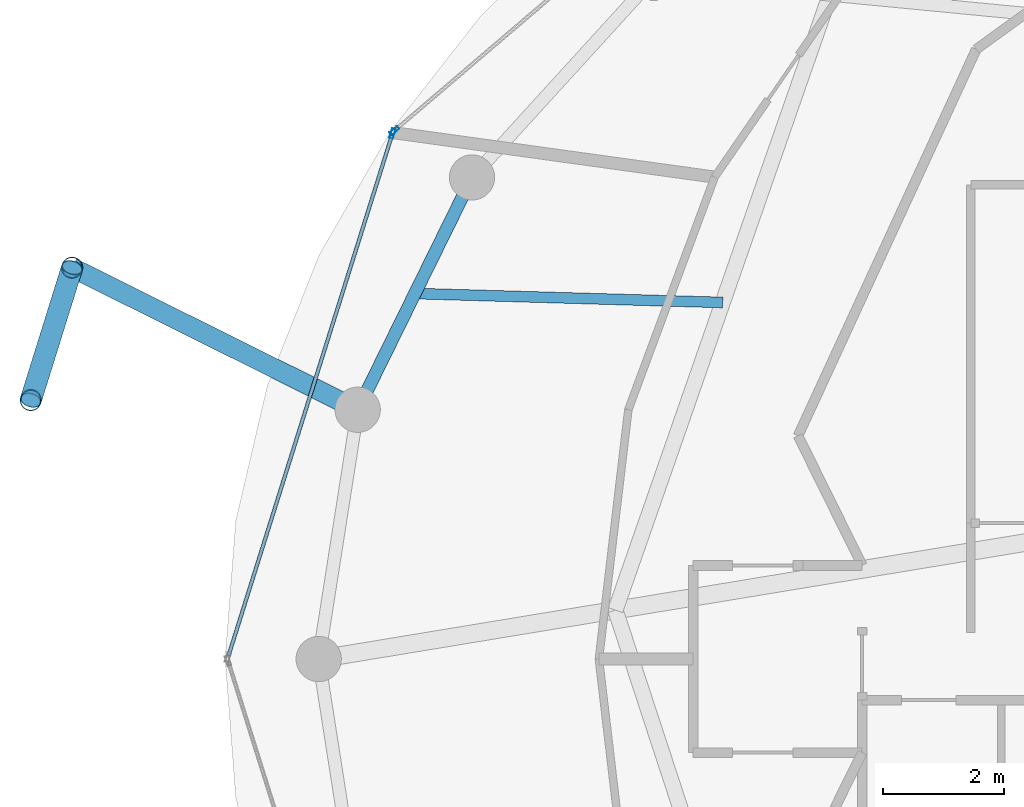
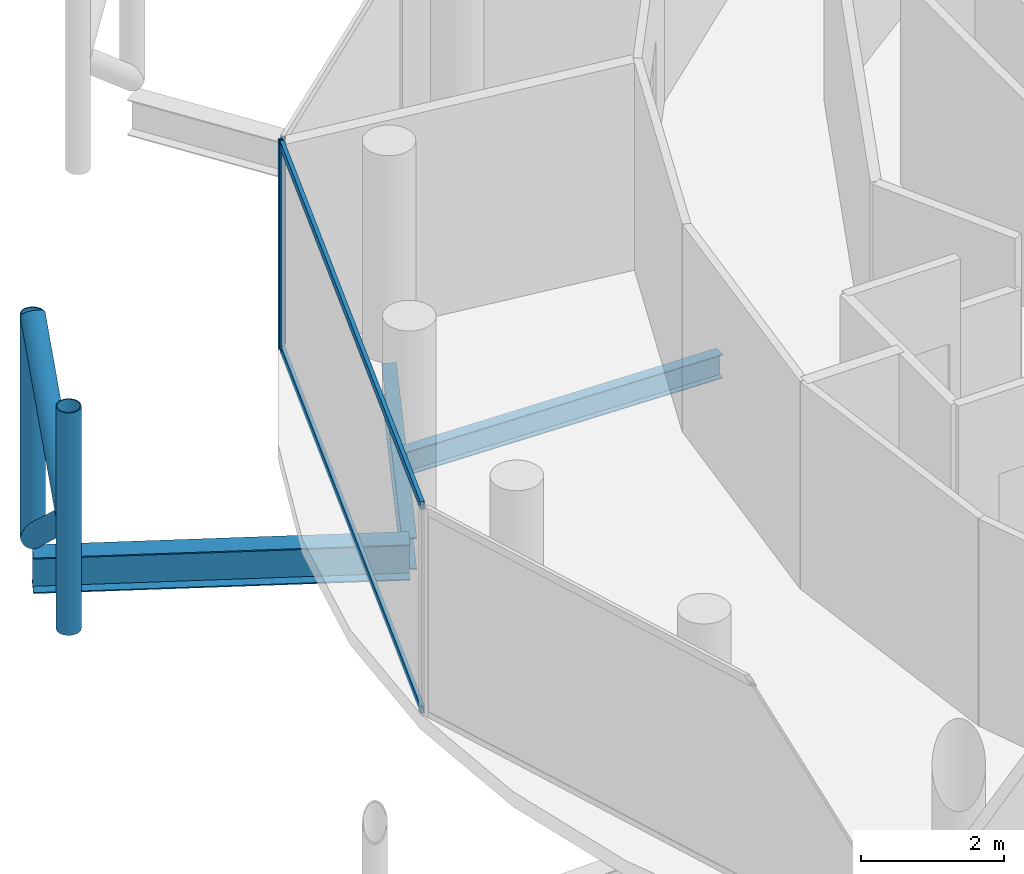
# One storey, part 7 of 24: 8 members, 3 beams, 2 elements without a shape of their own.
"""IFC4 building model written with IfcOpenShell, lengths in metres."""

from ifc_helpers import new_model, si_unit, direction, frame, origin, origin_2d, place, context, subcontext, project, spatial, hollow_rectangle, hollow_circle, i_section, extrude, material, layer, layer_set, material_profile, profile_set, type_object, element, aggregate, save


model = new_model("IFC4")

# Units and contexts
model_context = context("Model", 3, precision=1e-05, world=origin(), true_north=direction((0.0, 1.0)))
body_context = subcontext(model_context, "Body", "Model", "MODEL_VIEW")
ifc_project = project(units=[si_unit("LENGTHUNIT", "METRE"), si_unit("AREAUNIT", "SQUARE_METRE"), si_unit("VOLUMEUNIT", "CUBIC_METRE"), si_unit("PLANEANGLEUNIT", "RADIAN"), si_unit("MASSUNIT", "GRAM", prefix="KILO")], contexts=[model_context])

# Site, building, storey
site_placement = place(None, origin())
site = spatial("IfcSite", under=ifc_project, at=site_placement, CompositionType="ELEMENT")
building_placement = place(site_placement, origin())
building = spatial("IfcBuilding", under=site, at=building_placement, Name="Nuhasar Tower", CompositionType="ELEMENT")
storey_placement = place(building_placement, frame((0.0, 0.0, 267.0)))
storey = spatial("IfcBuildingStorey", under=building, at=storey_placement, Name="L66", CompositionType="ELEMENT", Elevation=267.0)

# Beams
ifc_material_1 = material(Name="Steel S355", Category="steel")
ifc_material_profile_1 = material_profile(ifc_material_1, i_section(OverallWidth=0.177978515625, OverallDepth=0.406005859375, WebThickness=0.0078125, FlangeThickness=0.0126953125, at=origin_2d()), Name="W16X40")
ifc_profile_set_1 = profile_set([ifc_material_profile_1], Name="Steel S355")
beam_type_1 = type_object("IfcBeamType", Name="BM-JST-W16X40", PredefinedType="JOIST", material=ifc_profile_set_1)
beam_1_placement = place(storey_placement, frame((26.739990234375, 32.7041015625, -0.462890625), z_axis=(-0.999579139243, 0.02900938453, 0.0), x_axis=(-0.02900938453, -0.999579139243, 0.0)))
element("IfcBeam", 1, at=beam_1_placement, inside=storey, type_object=beam_type_1, Name="L66 Secondary Floor Joist 07", PredefinedType="JOIST", context=body_context, shape_type="SweptSolid", body=[
    extrude(i_section(OverallWidth=0.177978515625, OverallDepth=0.406005859375, WebThickness=0.0078125, FlangeThickness=0.0126953125, at=origin_2d()), origin(), (0.0, 0.0, 1.0), 5.10009765625),
])
ifc_material_profile_2 = material_profile(ifc_material_1, i_section(OverallWidth=0.2099609375, OverallDepth=0.537109375, WebThickness=0.010986328125, FlangeThickness=0.017333984375, at=origin_2d()), Name="W21X68")
ifc_profile_set_2 = profile_set([ifc_material_profile_2], Name="Steel S355")
beam_type_2 = type_object("IfcBeamType", Name="BM-RING-W21X68", PredefinedType="SPANDREL", material=ifc_profile_set_2)
beam_2_placement = place(storey_placement, frame((22.589111328125, 34.77490234375, -0.529052734375), z_axis=(-0.441533119295, -0.897244952377, 0.0), x_axis=(0.897244952377, -0.441533119295, 0.0)))
element("IfcBeam", 2, at=beam_2_placement, inside=storey, type_object=beam_type_2, Name="L66 Perimeter Ring Spandrel 11", PredefinedType="SPANDREL", context=body_context, shape_type="SweptSolid", body=[
    extrude(i_section(OverallWidth=0.2099609375, OverallDepth=0.537109375, WebThickness=0.010986328125, FlangeThickness=0.017333984375, at=origin_2d()), origin(), (0.0, 0.0, 1.0), 4.28759765625),
])
ifc_material_profile_3 = material_profile(ifc_material_1, i_section(OverallWidth=0.323974609375, OverallDepth=0.611083984375, WebThickness=0.0126953125, FlangeThickness=0.01904296875, at=origin_2d()), Name="W24X104")
ifc_profile_set_3 = profile_set([ifc_material_profile_3], Name="Steel S355")
beam_type_3 = type_object("IfcBeamType", Name="BM-TIE-W24X104", PredefinedType="BEAM", material=ifc_profile_set_3)
beam_3_placement = place(storey_placement, frame((20.696044921875, 30.927978515625, -0.56494140625), z_axis=(-0.895294451274, 0.445474853969, 0.0), x_axis=(-0.445474853969, -0.895294451274, 0.0)))
element("IfcBeam", 3, at=beam_3_placement, inside=storey, type_object=beam_type_3, Name="L66 Exoskeleton Node Tie Beam 06", PredefinedType="BEAM", context=body_context, shape_type="SweptSolid", body=[
    extrude(i_section(OverallWidth=0.323974609375, OverallDepth=0.611083984375, WebThickness=0.0126953125, FlangeThickness=0.01904296875, at=origin_2d()), origin(), (0.0, 0.0, 1.0), 5.281982421875),
])

# Curtain wall, member
ifc_material_2 = material(Name="Aluminium 6063-T6", Category="aluminium")
ifc_layer = layer(ifc_material_2, 0.18994140625)
ifc_layer_set = layer_set([ifc_layer], Name="Aluminium 6063-T6")
curtain_wall_type = type_object("IfcCurtainWallType", Name="CW-Z4-PEN", PredefinedType="NOTDEFINED", material=ifc_layer_set)
curtain_wall_1_placement = place(storey_placement, origin())
curtain_wall_1 = element("IfcCurtainWall", 4, at=curtain_wall_1_placement, inside=storey, type_object=curtain_wall_type, Name="L66 Unitised Curtain Wall 05", PredefinedType="NOTDEFINED")
ifc_material_profile_4 = material_profile(ifc_material_2, hollow_rectangle(XDim=0.06005859375, YDim=0.1650390625, WallThickness=0.0048828125, at=origin_2d()), Name="CWM-5")
ifc_profile_set_4 = profile_set([ifc_material_profile_4], Name="Aluminium 6063-T6")
member_type_1 = type_object("IfcMemberType", Name="CW-MUL-S5", PredefinedType="MULLION", material=ifc_profile_set_4)
member_1_placement = place(storey_placement, frame((21.3037109375, 35.549560546875, 0.0), z_axis=(0.0, 0.0, 1.0), x_axis=(0.649141996205, -0.760667252327, 0.0)))
member_1 = element("IfcMember", 5, at=member_1_placement, type_object=member_type_1, Name="CW-Z4 mullion 2", PredefinedType="MULLION", context=body_context, shape_type="SweptSolid", body=[
    extrude(hollow_rectangle(XDim=0.06005859375, YDim=0.1650390625, WallThickness=0.0048828125, at=origin_2d()), origin(), (0.0, 0.0, 1.0), 3.5400390625),
])
aggregate(curtain_wall_1, [member_1])

# Curtain wall, members
curtain_wall_2_placement = place(storey_placement, origin())
curtain_wall_2 = element("IfcCurtainWall", 6, at=curtain_wall_2_placement, inside=storey, type_object=curtain_wall_type, Name="L66 Unitised Curtain Wall 06", PredefinedType="NOTDEFINED")
member_2_placement = place(storey_placement, frame((21.27197265625, 35.50146484375, 0.0), z_axis=(0.0, 0.0, 1.0), x_axis=(0.954078526601, -0.299556614146, 0.0)))
member_2 = element("IfcMember", 7, at=member_2_placement, type_object=member_type_1, Name="CW-Z4 mullion 1", PredefinedType="MULLION", context=body_context, shape_type="SweptSolid", body=[
    extrude(hollow_rectangle(XDim=0.06005859375, YDim=0.1650390625, WallThickness=0.0048828125, at=origin_2d()), origin(), (0.0, 0.0, 1.0), 3.5400390625),
])
ifc_material_profile_5 = material_profile(ifc_material_2, hollow_rectangle(XDim=0.06005859375, YDim=0.135009765625, WallThickness=0.00439453125, at=origin_2d()), Name="CWT-5")
ifc_profile_set_5 = profile_set([ifc_material_profile_5], Name="Aluminium 6063-T6")
member_type_2 = type_object("IfcMemberType", Name="CW-TRN-S5", PredefinedType="USERDEFINED", material=ifc_profile_set_5)
member_3_placement = place(storey_placement, frame((21.262939453125, 35.47265625, 0.030029296875), z_axis=(-0.29956014073, -0.954077419335, 0.0), x_axis=(0.954077419335, -0.29956014073, 0.0)))
member_3 = element("IfcMember", 8, at=member_3_placement, type_object=member_type_2, Name="CW-Z4 transom 1.1", ObjectType="TRANSOM", PredefinedType="USERDEFINED", context=body_context, shape_type="SweptSolid", body=[
    extrude(hollow_rectangle(XDim=0.06005859375, YDim=0.135009765625, WallThickness=0.00439453125, at=origin_2d()), origin(), (0.0, 0.0, 1.0), 9.0302734375),
])
member_4_placement = place(storey_placement, frame((21.262939453125, 35.47265625, 3.510009765625), z_axis=(-0.29956014073, -0.954077419335, 0.0), x_axis=(0.954077419335, -0.29956014073, 0.0)))
member_4 = element("IfcMember", 9, at=member_4_placement, type_object=member_type_2, Name="CW-Z4 transom 1.2", ObjectType="TRANSOM", PredefinedType="USERDEFINED", context=body_context, shape_type="SweptSolid", body=[
    extrude(hollow_rectangle(XDim=0.06005859375, YDim=0.135009765625, WallThickness=0.00439453125, at=origin_2d()), origin(), (0.0, 0.0, 1.0), 9.0302734375),
])
aggregate(curtain_wall_2, [member_2, member_3, member_4])

# Members
ifc_material_3 = material(Name="Steel S460", Category="steel")
ifc_material_profile_6 = material_profile(ifc_material_3, hollow_circle(Radius=0.177734375, WallThickness=0.015869140625, at=origin_2d()), Name="HSS355.6X15.9")
ifc_profile_set_6 = profile_set([ifc_material_profile_6], Name="Steel S460")
member_type_3 = type_object("IfcMemberType", Name="EXO-BRONZE-356", PredefinedType="BRACE", material=ifc_profile_set_6)
for number, where, z_axis, x_axis, name in (
    (10, (15.967041015625, 33.281005859375, 0.0), (0.0, 0.0, 1.0), (1.0, 0.0, 0.0), "L66 Exoskeleton Chord Column EC-06A"),
    (11, (15.281982421875, 31.0859375, 0.0), (0.0, 0.0, 1.0), (1.0, 0.0, 0.0), "L66 Exoskeleton Chord Column EC-06B"),
):
    element("IfcMember", number, at=place(storey_placement, frame(where, z_axis=z_axis, x_axis=x_axis)), inside=storey, type_object=member_type_3, Name=name, PredefinedType="BRACE", context=body_context, shape_type="SweptSolid", body=[
        extrude(hollow_circle(Radius=0.177734375, WallThickness=0.015869140625, at=origin_2d()), origin(), (0.0, 0.0, 1.0), 3.800048828125),
    ])
for number, where, z_axis, x_axis, name in (
    (12, (15.967041015625, 33.281005859375, 0.0), (-0.229667527485, -0.735901902929, 0.636946792192), (0.954591372974, -0.297918295247, 0.0), "L66 Bronze Diagrid Brace W1-06"),
    (13, (15.281982421875, 31.0859375, 1.89990234375), (0.22965555433, 0.735863538482, 0.636995430987), (-0.954591372974, 0.297918295247, 0.0), "L66 Bronze Diagrid Brace W2-06"),
):
    element("IfcMember", number, at=place(storey_placement, frame(where, z_axis=z_axis, x_axis=x_axis)), inside=storey, type_object=member_type_3, Name=name, PredefinedType="BRACE", context=body_context, shape_type="SweptSolid", body=[
        extrude(hollow_circle(Radius=0.177734375, WallThickness=0.015869140625, at=origin_2d()), origin(), (0.0, 0.0, 1.0), 2.98291015625),
    ])

save(model, "model.ifc")
